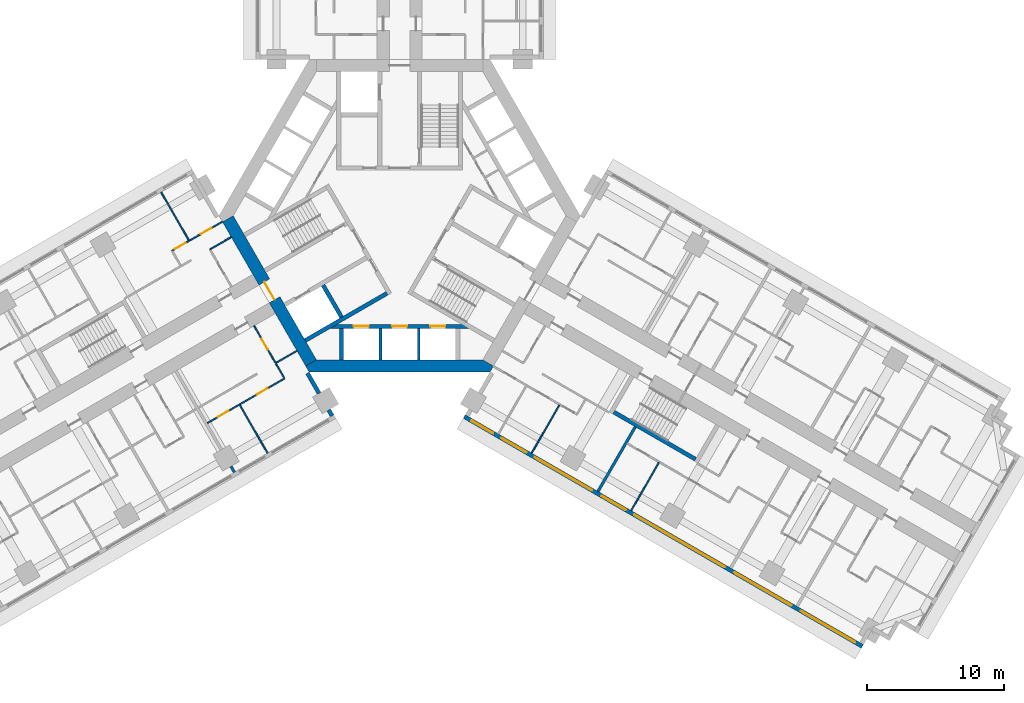
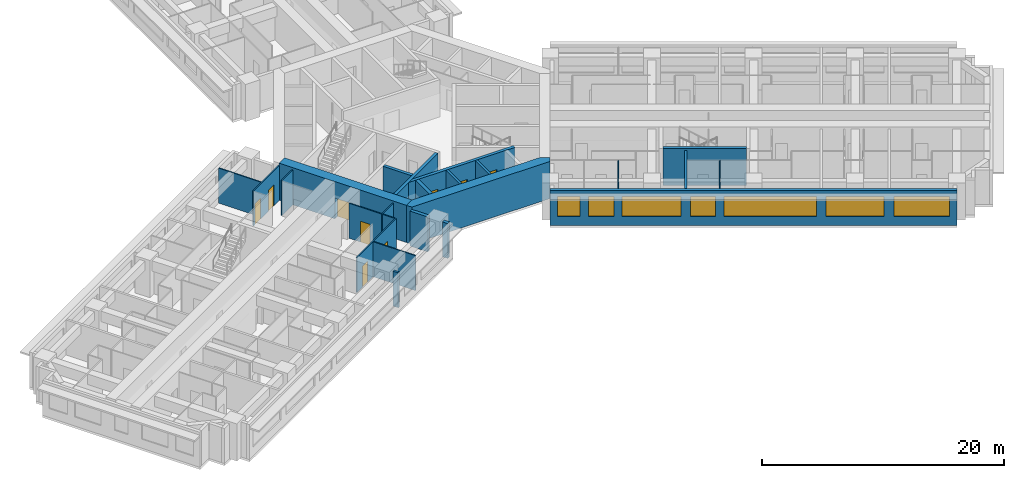
# One storey, part 6 of 16: 24 walls, 9 doors, 7 windows, 16 openings.
"""IFC4 building model written with IfcOpenShell, lengths in metres."""

from ifc_helpers import new_model, si_unit, direction, frame, frame_2d, origin, place, context, subcontext, project, spatial, polyline, rectangle, outline, extrude, material, layer, layer_set, type_object, element, fill, save


model = new_model("IFC4")

# Units and contexts
model_context = context("Model", 3, precision=1e-05, world=origin(), true_north=direction((0.0, 1.0)))
body_context = subcontext(model_context, "Body", "Model", "MODEL_VIEW")
ifc_project = project(units=[si_unit("LENGTHUNIT", "METRE"), si_unit("AREAUNIT", "SQUARE_METRE"), si_unit("VOLUMEUNIT", "CUBIC_METRE"), si_unit("PLANEANGLEUNIT", "RADIAN"), si_unit("MASSUNIT", "GRAM", prefix="KILO")], contexts=[model_context])

# Site, building, storey
site_placement = place(None, origin())
site = spatial("IfcSite", under=ifc_project, at=site_placement, CompositionType="ELEMENT")
building_placement = place(site_placement, origin())
building = spatial("IfcBuilding", under=site, at=building_placement, Name="Impinga Residences", CompositionType="ELEMENT")
storey_placement = place(building_placement, frame((0.0, 0.0, 52.25)))
storey = spatial("IfcBuildingStorey", under=building, at=storey_placement, Name="L12", CompositionType="ELEMENT", Elevation=52.25)

# Wall, openings, windows
ifc_material_1 = material(Name="Terracotta rainscreen on blockwork", Category="masonry")
ifc_layer_1 = layer(ifc_material_1, 0.300048828125)
ifc_layer_set_1 = layer_set([ifc_layer_1], Name="EW1 external wall, terracotta rainscreen on blockwork 300")
wall_type_1 = type_object("IfcWallType", Name="EW1 external wall, terracotta rainscreen on blockwork 300", PredefinedType="SOLIDWALL", material=ifc_layer_set_1)
wall_1_placement = place(storey_placement, frame((33.823486328125, -31.479248046875, 0.0), z_axis=(0.0, 0.0, 1.0), x_axis=(-0.866024291668, 0.500001926238, 0.0)))
wall_1 = element("IfcWall", 1, at=wall_1_placement, inside=storey, type_object=wall_type_1, Name="External wall EW1 L12", PredefinedType="SOLIDWALL", context=body_context, shape_type="SweptSolid", body=[
    extrude(rectangle(XDim=33.599853515625, YDim=0.300048828125, at=frame_2d((16.7998046875, 0.0))), origin(), (0.0, 0.0, 1.0), 3.530029296875),
])
opening_1_placement = place(wall_1_placement, frame((0.60009765625, 0.0, 0.89990234375)))
opening_1 = element("IfcOpeningElement", 2, at=opening_1_placement, cuts=wall_1, Name="Opening W3", PredefinedType="OPENING", context=body_context, shape_type="SweptSolid", body=[
    extrude(rectangle(XDim=4.60009765625, YDim=2.050048828125, at=frame_2d((2.300048828125, 1.02490234375))), frame((0.0, 0.159912109375, 0.0), z_axis=(0.0, -1.0, 0.0), x_axis=(1.0, 0.0, 0.0)), (0.0, 0.0, 1.0), 0.320068359375),
])
opening_2_placement = place(wall_1_placement, frame((6.0, 0.0, 0.89990234375)))
opening_2 = element("IfcOpeningElement", 3, at=opening_2_placement, cuts=wall_1, Name="Opening W8", PredefinedType="OPENING", context=body_context, shape_type="SweptSolid", body=[
    extrude(rectangle(XDim=4.800048828125, YDim=2.050048828125, at=frame_2d((2.39990234375, 1.02490234375))), frame((0.0, 0.159912109375, 0.0), z_axis=(0.0, -1.0, 0.0), x_axis=(1.0, 0.0, 0.0)), (0.0, 0.0, 1.0), 0.320068359375),
])
opening_3_placement = place(wall_1_placement, frame((11.60009765625, 0.0, 0.89990234375)))
opening_3 = element("IfcOpeningElement", 4, at=opening_3_placement, cuts=wall_1, Name="Opening W13", PredefinedType="OPENING", context=body_context, shape_type="SweptSolid", body=[
    extrude(rectangle(XDim=7.64990234375, YDim=2.050048828125, at=frame_2d((3.824951171875, 1.02490234375))), frame((0.0, 0.159912109375, 0.0), z_axis=(0.0, -1.0, 0.0), x_axis=(1.0, 0.0, 0.0)), (0.0, 0.0, 1.0), 0.320068359375),
])
opening_4_placement = place(wall_1_placement, frame((19.949951171875, 0.0, 0.89990234375)))
opening_4 = element("IfcOpeningElement", 5, at=opening_4_placement, cuts=wall_1, Name="Opening W14", PredefinedType="OPENING", context=body_context, shape_type="SweptSolid", body=[
    extrude(rectangle(XDim=2.050048828125, YDim=2.050048828125, at=frame_2d((1.02490234375, 1.02490234375))), frame((0.0, 0.159912109375, 0.0), z_axis=(0.0, -1.0, 0.0), x_axis=(1.0, 0.0, 0.0)), (0.0, 0.0, 1.0), 0.320068359375),
])
opening_5_placement = place(wall_1_placement, frame((22.800048828125, 0.0, 0.89990234375)))
opening_5 = element("IfcOpeningElement", 6, at=opening_5_placement, cuts=wall_1, Name="Opening W6", PredefinedType="OPENING", context=body_context, shape_type="SweptSolid", body=[
    extrude(rectangle(XDim=4.85009765625, YDim=2.050048828125, at=frame_2d((2.425048828125, 1.02490234375))), frame((0.0, 0.159912109375, 0.0), z_axis=(0.0, -1.0, 0.0), x_axis=(1.0, 0.0, 0.0)), (0.0, 0.0, 1.0), 0.320068359375),
])
opening_6_placement = place(wall_1_placement, frame((28.35009765625, 0.0, 0.89990234375)))
opening_6 = element("IfcOpeningElement", 7, at=opening_6_placement, cuts=wall_1, Name="Opening W9", PredefinedType="OPENING", context=body_context, shape_type="SweptSolid", body=[
    extrude(rectangle(XDim=2.10009765625, YDim=2.050048828125, at=frame_2d((1.050048828125, 1.02490234375))), frame((0.0, 0.159912109375, 0.0), z_axis=(0.0, -1.0, 0.0), x_axis=(1.0, 0.0, 0.0)), (0.0, 0.0, 1.0), 0.320068359375),
])
opening_7_placement = place(wall_1_placement, frame((31.14990234375, 0.0, 0.89990234375)))
opening_7 = element("IfcOpeningElement", 8, at=opening_7_placement, cuts=wall_1, Name="Opening W15", PredefinedType="OPENING", context=body_context, shape_type="SweptSolid", body=[
    extrude(rectangle(XDim=1.85009765625, YDim=2.050048828125, at=frame_2d((0.925048828125, 1.02490234375))), frame((0.0, 0.159912109375, 0.0), z_axis=(0.0, -1.0, 0.0), x_axis=(1.0, 0.0, 0.0)), (0.0, 0.0, 1.0), 0.320068359375),
])
ifc_material_2 = material(Name="Aluminium window, clear double glazing", Category="aluminium")
window_type_1 = type_object("IfcWindowType", Name="W13 ribbon window 7650x2050", PartitioningType="SINGLE_PANEL", PredefinedType="WINDOW", material=ifc_material_2)
window_1_placement = place(opening_3_placement, origin())
window_1 = element("IfcWindow", 9, at=window_1_placement, inside=storey, type_object=window_type_1, Name="Window L12", OverallHeight=2.050048828125, OverallWidth=7.64990234375, PartitioningType="SINGLE_PANEL", PredefinedType="WINDOW", context=body_context, shape_type="SweptSolid", body=[
    extrude(rectangle(XDim=7.64990234375, YDim=2.050048828125, at=frame_2d((3.824951171875, 1.02490234375))), frame((0.0, 0.030029296875, 0.0), z_axis=(0.0, -1.0, 0.0), x_axis=(1.0, 0.0, 0.0)), (0.0, 0.0, 1.0), 0.06005859375),
])
fill(opening_3, window_1)
window_type_2 = type_object("IfcWindowType", Name="W14 ribbon window 2050x2050", PartitioningType="SINGLE_PANEL", PredefinedType="WINDOW", material=ifc_material_2)
window_2_placement = place(opening_4_placement, origin())
window_2 = element("IfcWindow", 10, at=window_2_placement, inside=storey, type_object=window_type_2, Name="Window L12", OverallHeight=2.050048828125, OverallWidth=2.050048828125, PartitioningType="SINGLE_PANEL", PredefinedType="WINDOW", context=body_context, shape_type="SweptSolid", body=[
    extrude(rectangle(XDim=2.050048828125, YDim=2.050048828125, at=frame_2d((1.02490234375, 1.02490234375))), frame((0.0, 0.030029296875, 0.0), z_axis=(0.0, -1.0, 0.0), x_axis=(1.0, 0.0, 0.0)), (0.0, 0.0, 1.0), 0.06005859375),
])
fill(opening_4, window_2)
window_type_3 = type_object("IfcWindowType", Name="W15 ribbon window 1850x2050", PartitioningType="SINGLE_PANEL", PredefinedType="WINDOW", material=ifc_material_2)
window_3_placement = place(opening_7_placement, origin())
window_3 = element("IfcWindow", 11, at=window_3_placement, inside=storey, type_object=window_type_3, Name="Window L12", OverallHeight=2.050048828125, OverallWidth=1.85009765625, PartitioningType="SINGLE_PANEL", PredefinedType="WINDOW", context=body_context, shape_type="SweptSolid", body=[
    extrude(rectangle(XDim=1.85009765625, YDim=2.050048828125, at=frame_2d((0.925048828125, 1.02490234375))), frame((0.0, 0.030029296875, 0.0), z_axis=(0.0, -1.0, 0.0), x_axis=(1.0, 0.0, 0.0)), (0.0, 0.0, 1.0), 0.06005859375),
])
fill(opening_7, window_3)
window_type_4 = type_object("IfcWindowType", Name="W3 ribbon window 4600x2050", PartitioningType="SINGLE_PANEL", PredefinedType="WINDOW", material=ifc_material_2)
window_4_placement = place(opening_1_placement, origin())
window_4 = element("IfcWindow", 12, at=window_4_placement, inside=storey, type_object=window_type_4, Name="Window L12", OverallHeight=2.050048828125, OverallWidth=4.60009765625, PartitioningType="SINGLE_PANEL", PredefinedType="WINDOW", context=body_context, shape_type="SweptSolid", body=[
    extrude(rectangle(XDim=4.60009765625, YDim=2.050048828125, at=frame_2d((2.300048828125, 1.02490234375))), frame((0.0, 0.030029296875, 0.0), z_axis=(0.0, -1.0, 0.0), x_axis=(1.0, 0.0, 0.0)), (0.0, 0.0, 1.0), 0.06005859375),
])
fill(opening_1, window_4)
window_type_5 = type_object("IfcWindowType", Name="W6 ribbon window 4850x2050", PartitioningType="SINGLE_PANEL", PredefinedType="WINDOW", material=ifc_material_2)
window_5_placement = place(opening_5_placement, origin())
window_5 = element("IfcWindow", 13, at=window_5_placement, inside=storey, type_object=window_type_5, Name="Window L12", OverallHeight=2.050048828125, OverallWidth=4.85009765625, PartitioningType="SINGLE_PANEL", PredefinedType="WINDOW", context=body_context, shape_type="SweptSolid", body=[
    extrude(rectangle(XDim=4.85009765625, YDim=2.050048828125, at=frame_2d((2.425048828125, 1.02490234375))), frame((0.0, 0.030029296875, 0.0), z_axis=(0.0, -1.0, 0.0), x_axis=(1.0, 0.0, 0.0)), (0.0, 0.0, 1.0), 0.06005859375),
])
fill(opening_5, window_5)
window_type_6 = type_object("IfcWindowType", Name="W8 ribbon window 4800x2050", PartitioningType="SINGLE_PANEL", PredefinedType="WINDOW", material=ifc_material_2)
window_6_placement = place(opening_2_placement, origin())
window_6 = element("IfcWindow", 14, at=window_6_placement, inside=storey, type_object=window_type_6, Name="Window L12", OverallHeight=2.050048828125, OverallWidth=4.800048828125, PartitioningType="SINGLE_PANEL", PredefinedType="WINDOW", context=body_context, shape_type="SweptSolid", body=[
    extrude(rectangle(XDim=4.800048828125, YDim=2.050048828125, at=frame_2d((2.39990234375, 1.02490234375))), frame((0.0, 0.030029296875, 0.0), z_axis=(0.0, -1.0, 0.0), x_axis=(1.0, 0.0, 0.0)), (0.0, 0.0, 1.0), 0.06005859375),
])
fill(opening_2, window_6)
window_type_7 = type_object("IfcWindowType", Name="W9 ribbon window 2100x2050", PartitioningType="SINGLE_PANEL", PredefinedType="WINDOW", material=ifc_material_2)
window_7_placement = place(opening_6_placement, origin())
window_7 = element("IfcWindow", 15, at=window_7_placement, inside=storey, type_object=window_type_7, Name="Window L12", OverallHeight=2.050048828125, OverallWidth=2.10009765625, PartitioningType="SINGLE_PANEL", PredefinedType="WINDOW", context=body_context, shape_type="SweptSolid", body=[
    extrude(rectangle(XDim=2.10009765625, YDim=2.050048828125, at=frame_2d((1.050048828125, 1.02490234375))), frame((0.0, 0.030029296875, 0.0), z_axis=(0.0, -1.0, 0.0), x_axis=(1.0, 0.0, 0.0)), (0.0, 0.0, 1.0), 0.06005859375),
])
fill(opening_6, window_7)

# Walls
wall_2_placement = place(storey_placement, frame((-6.72998046875, -11.506591796875, 0.0), z_axis=(0.0, 0.0, 1.0), x_axis=(0.500062241894, -0.865989465428, 0.0)))
element("IfcWall", 16, at=wall_2_placement, inside=storey, type_object=wall_type_1, Name="External wall EW1 L12", PredefinedType="SOLIDWALL", context=body_context, shape_type="SweptSolid", body=[
    extrude(rectangle(XDim=1.699951171875, YDim=0.300048828125, at=frame_2d((0.85009765625, 0.0))), origin(), (0.0, 0.0, 1.0), 3.530029296875),
])
wall_3_placement = place(storey_placement, frame((-5.179931640625, -14.191162109375, 0.0), z_axis=(0.0, 0.0, 1.0), x_axis=(0.499919672301, -0.866071776036, 0.0)))
element("IfcWall", 17, at=wall_3_placement, inside=storey, type_object=wall_type_1, Name="External wall EW1 L12", PredefinedType="SOLIDWALL", context=body_context, shape_type="SweptSolid", body=[
    extrude(rectangle(XDim=0.5, YDim=0.300048828125, at=frame_2d((0.25, 0.0))), origin(), (0.0, 0.0, 1.0), 3.530029296875),
])
ifc_material_3 = material(Name="Gypsum board on steel studs", Category="steel")
ifc_layer_2 = layer(ifc_material_3, 0.10009765625)
ifc_layer_set_2 = layer_set([ifc_layer_2], Name="Gypsum board on steel studs")
wall_type_2 = type_object("IfcWallType", Name="IP1 partition 100", PredefinedType="PARTITIONING", material=ifc_layer_set_2)
wall_4_placement = place(storey_placement, frame((-7.5, -9.872802734375, 0.0), z_axis=(0.0, 0.0, 1.0), x_axis=(-0.866047807691, -0.499961193289, 0.0)))
element("IfcWall", 18, at=wall_4_placement, inside=storey, type_object=wall_type_2, Name="Partition L12-WA1:DIV0", PredefinedType="PARTITIONING", context=body_context, shape_type="SweptSolid", body=[
    extrude(rectangle(XDim=1.800048828125, YDim=0.10009765625, at=frame_2d((0.89990234375, 0.0))), origin(), (0.0, 0.0, 1.0), 3.530029296875),
])

# Wall, openings, doors
wall_5_placement = place(storey_placement, frame((-8.408935546875, -11.8984375, 0.0), z_axis=(0.0, 0.0, 1.0), x_axis=(-0.866024837091, -0.50000098154, 0.0)))
wall_5 = element("IfcWall", 19, at=wall_5_placement, inside=storey, type_object=wall_type_2, Name="Partition L12-WA1:STRIP", PredefinedType="PARTITIONING", context=body_context, shape_type="SweptSolid", body=[
    extrude(rectangle(XDim=6.5, YDim=0.10009765625, at=frame_2d((3.25, 0.0))), origin(), (0.0, 0.0, 1.0), 3.530029296875),
])
opening_8_placement = place(wall_5_placement, frame((1.425048828125, 0.0, 0.0)))
opening_8 = element("IfcOpeningElement", 20, at=opening_8_placement, cuts=wall_5, Name="Opening D2", PredefinedType="OPENING", context=body_context, shape_type="SweptSolid", body=[
    extrude(rectangle(XDim=0.89990234375, YDim=2.10009765625, at=frame_2d((0.449951171875, 1.050048828125))), frame((0.0, 0.06005859375, 0.0), z_axis=(0.0, -1.0, 0.0), x_axis=(1.0, 0.0, 0.0)), (0.0, 0.0, 1.0), 0.1201171875),
])
opening_9_placement = place(wall_5_placement, frame((4.72509765625, 0.0, 0.0)))
opening_9 = element("IfcOpeningElement", 21, at=opening_9_placement, cuts=wall_5, Name="Opening D2", PredefinedType="OPENING", context=body_context, shape_type="SweptSolid", body=[
    extrude(rectangle(XDim=0.89990234375, YDim=2.10009765625, at=frame_2d((0.449951171875, 1.050048828125))), frame((0.0, 0.06005859375, 0.0), z_axis=(0.0, -1.0, 0.0), x_axis=(1.0, 0.0, 0.0)), (0.0, 0.0, 1.0), 0.1201171875),
])
ifc_material_4 = material(Name="Timber door set", Category="wood")
door_type_1 = type_object("IfcDoorType", Name="D2 internal door 900x2100", OperationType="SINGLE_SWING_LEFT", PredefinedType="DOOR", material=ifc_material_4)
door_1_placement = place(opening_8_placement, origin())
door_1 = element("IfcDoor", 22, at=door_1_placement, inside=storey, type_object=door_type_1, Name="Apartment L12-WA1 room door", OperationType="SINGLE_SWING_LEFT", OverallHeight=2.10009765625, OverallWidth=0.89990234375, PredefinedType="DOOR", context=body_context, shape_type="SweptSolid", body=[
    extrude(rectangle(XDim=0.89990234375, YDim=2.10009765625, at=frame_2d((0.449951171875, 1.050048828125))), frame((0.0, 0.02490234375, 0.0), z_axis=(0.0, -1.0, 0.0), x_axis=(1.0, 0.0, 0.0)), (0.0, 0.0, 1.0), 0.050048828125),
])
fill(opening_8, door_1)
door_2_placement = place(opening_9_placement, origin())
door_2 = element("IfcDoor", 23, at=door_2_placement, inside=storey, type_object=door_type_1, Name="Apartment L12-WA1 room door", OperationType="SINGLE_SWING_RIGHT", OverallHeight=2.10009765625, OverallWidth=0.89990234375, PredefinedType="DOOR", context=body_context, shape_type="SweptSolid", body=[
    extrude(rectangle(XDim=0.89990234375, YDim=2.10009765625, at=frame_2d((0.449951171875, 1.050048828125))), frame((0.0, 0.02490234375, 0.0), z_axis=(0.0, -1.0, 0.0), x_axis=(1.0, 0.0, 0.0)), (0.0, 0.0, 1.0), 0.050048828125),
])
fill(opening_9, door_2)

# Wall
wall_6_placement = place(storey_placement, frame((-9.033935546875, -10.81591796875, 0.0), z_axis=(0.0, 0.0, 1.0), x_axis=(0.500033551112, -0.866006032174, 0.0)))
element("IfcWall", 24, at=wall_6_placement, inside=storey, type_object=wall_type_2, Name="Partition L12-WA1:SE0", PredefinedType="PARTITIONING", context=body_context, shape_type="SweptSolid", body=[
    extrude(rectangle(XDim=1.2001953125, YDim=0.10009765625, at=frame_2d((0.60009765625, 0.0))), origin(), (0.0, 0.0, 1.0), 3.530029296875),
])

# Wall, opening, door
wall_7_placement = place(storey_placement, frame((-10.6337890625, -8.044677734375, 0.0), z_axis=(0.0, 0.0, 1.0), x_axis=(0.49999285859, -0.86602952684, 0.0)))
wall_7 = element("IfcWall", 25, at=wall_7_placement, inside=storey, type_object=wall_type_2, Name="Partition L12-WA1:IB1", PredefinedType="PARTITIONING", context=body_context, shape_type="SweptSolid", body=[
    extrude(rectangle(XDim=3.10009765625, YDim=0.10009765625, at=frame_2d((1.550048828125, 0.0))), origin(), (0.0, 0.0, 1.0), 3.530029296875),
])
opening_10_placement = place(wall_7_placement, frame((1.10009765625, 0.0, 0.0)))
opening_10 = element("IfcOpeningElement", 26, at=opening_10_placement, cuts=wall_7, Name="Opening D2", PredefinedType="OPENING", context=body_context, shape_type="SweptSolid", body=[
    extrude(rectangle(XDim=0.89990234375, YDim=2.10009765625, at=frame_2d((0.449951171875, 1.050048828125))), frame((0.0, 0.06005859375, 0.0), z_axis=(0.0, -1.0, 0.0), x_axis=(1.0, 0.0, 0.0)), (0.0, 0.0, 1.0), 0.1201171875),
])
door_3_placement = place(opening_10_placement, origin())
door_3 = element("IfcDoor", 27, at=door_3_placement, inside=storey, type_object=door_type_1, Name="Apartment L12-WA1 bathroom door", OperationType="SINGLE_SWING_LEFT", OverallHeight=2.10009765625, OverallWidth=0.89990234375, PredefinedType="DOOR", context=body_context, shape_type="SweptSolid", body=[
    extrude(rectangle(XDim=0.89990234375, YDim=2.10009765625, at=frame_2d((0.449951171875, 1.050048828125))), frame((0.0, 0.02490234375, 0.0), z_axis=(0.0, -1.0, 0.0), x_axis=(1.0, 0.0, 0.0)), (0.0, 0.0, 1.0), 0.050048828125),
])
fill(opening_10, door_3)

# Walls
wall_8_placement = place(storey_placement, frame((-11.6748046875, -13.841796875, 0.0), z_axis=(0.0, 0.0, 1.0), x_axis=(0.500035537042, -0.866004885491, 0.0)))
element("IfcWall", 28, at=wall_8_placement, inside=storey, type_object=wall_type_2, Name="Partition L12-WA1:OB1", PredefinedType="PARTITIONING", context=body_context, shape_type="SweptSolid", body=[
    extrude(rectangle(XDim=4.050048828125, YDim=0.10009765625, at=frame_2d((2.02490234375, 0.0))), origin(), (0.0, 0.0, 1.0), 3.530029296875),
])
wall_9_placement = place(storey_placement, frame((-12.300048828125, -1.558837890625, 0.0), z_axis=(0.0, 0.0, 1.0), x_axis=(-0.866047807691, -0.499961193289, 0.0)))
element("IfcWall", 29, at=wall_9_placement, inside=storey, type_object=wall_type_2, Name="Partition L12-WF1:DIV0", PredefinedType="PARTITIONING", context=body_context, shape_type="SweptSolid", body=[
    extrude(rectangle(XDim=1.800048828125, YDim=0.10009765625, at=frame_2d((0.89990234375, 0.0))), origin(), (0.0, 0.0, 1.0), 3.530029296875),
])

# Wall, openings, doors
wall_10_placement = place(storey_placement, frame((-12.949951171875, -0.43310546875, 0.0), z_axis=(0.0, 0.0, 1.0), x_axis=(-0.866028703517, -0.499994284652, 0.0)))
wall_10 = element("IfcWall", 30, at=wall_10_placement, inside=storey, type_object=wall_type_2, Name="Partition L12-WF1:STRIP", PredefinedType="PARTITIONING", context=body_context, shape_type="SweptSolid", body=[
    extrude(rectangle(XDim=4.25, YDim=0.10009765625, at=frame_2d((2.125, 0.0))), origin(), (0.0, 0.0, 1.0), 3.530029296875),
])
opening_11_placement = place(wall_10_placement, frame((0.925048828125, 0.0, 0.0)))
opening_11 = element("IfcOpeningElement", 31, at=opening_11_placement, cuts=wall_10, Name="Opening D2", PredefinedType="OPENING", context=body_context, shape_type="SweptSolid", body=[
    extrude(rectangle(XDim=0.89990234375, YDim=2.10009765625, at=frame_2d((0.449951171875, 1.050048828125))), frame((0.0, 0.06005859375, 0.0), z_axis=(0.0, -1.0, 0.0), x_axis=(1.0, 0.0, 0.0)), (0.0, 0.0, 1.0), 0.1201171875),
])
opening_12_placement = place(wall_10_placement, frame((3.10009765625, 0.0, 0.0)))
opening_12 = element("IfcOpeningElement", 32, at=opening_12_placement, cuts=wall_10, Name="Opening D2", PredefinedType="OPENING", context=body_context, shape_type="SweptSolid", body=[
    extrude(rectangle(XDim=0.89990234375, YDim=2.10009765625, at=frame_2d((0.449951171875, 1.050048828125))), frame((0.0, 0.06005859375, 0.0), z_axis=(0.0, -1.0, 0.0), x_axis=(1.0, 0.0, 0.0)), (0.0, 0.0, 1.0), 0.1201171875),
])
door_4_placement = place(opening_11_placement, origin())
door_4 = element("IfcDoor", 33, at=door_4_placement, inside=storey, type_object=door_type_1, Name="Apartment L12-WF1 room door", OperationType="SINGLE_SWING_LEFT", OverallHeight=2.10009765625, OverallWidth=0.89990234375, PredefinedType="DOOR", context=body_context, shape_type="SweptSolid", body=[
    extrude(rectangle(XDim=0.89990234375, YDim=2.10009765625, at=frame_2d((0.449951171875, 1.050048828125))), frame((0.0, 0.02490234375, 0.0), z_axis=(0.0, -1.0, 0.0), x_axis=(1.0, 0.0, 0.0)), (0.0, 0.0, 1.0), 0.050048828125),
])
fill(opening_11, door_4)
door_5_placement = place(opening_12_placement, origin())
door_5 = element("IfcDoor", 34, at=door_5_placement, inside=storey, type_object=door_type_1, Name="Apartment L12-WF1 room door", OperationType="SINGLE_SWING_RIGHT", OverallHeight=2.10009765625, OverallWidth=0.89990234375, PredefinedType="DOOR", context=body_context, shape_type="SweptSolid", body=[
    extrude(rectangle(XDim=0.89990234375, YDim=2.10009765625, at=frame_2d((0.449951171875, 1.050048828125))), frame((0.0, 0.02490234375, 0.0), z_axis=(0.0, -1.0, 0.0), x_axis=(1.0, 0.0, 0.0)), (0.0, 0.0, 1.0), 0.050048828125),
])
fill(opening_12, door_5)

# Walls
for number, where, z_axis, x_axis, name in (
    (35, (-15.39990234375, -1.789794921875, 0.0), (0.0, 0.0, 1.0), (-0.499964223975, 0.866046058097, 0.0), "Partition L12-WF1:OB1"),
    (36, (11.6748046875, -13.841796875, 0.0), (0.0, 0.0, 1.0), (-0.500035537042, -0.866004885491, 0.0), "Partition L12-EF1:OB2"),
):
    element("IfcWall", number, at=place(storey_placement, frame(where, z_axis=z_axis, x_axis=x_axis)), inside=storey, type_object=wall_type_2, Name=name, PredefinedType="PARTITIONING", context=body_context, shape_type="SweptSolid", body=[
        extrude(rectangle(XDim=4.050048828125, YDim=0.10009765625, at=frame_2d((2.02490234375, 0.0))), origin(), (0.0, 0.0, 1.0), 3.530029296875),
    ])
wall_11_placement = place(storey_placement, frame((18.949462890625, -18.041748046875, 0.0), z_axis=(0.0, 0.0, 1.0), x_axis=(-0.50000943426, -0.866019956843, 0.0)))
element("IfcWall", 37, at=wall_11_placement, inside=storey, type_object=wall_type_2, Name="Partition L12-EF2:OB1", PredefinedType="PARTITIONING", context=body_context, shape_type="SweptSolid", body=[
    extrude(rectangle(XDim=4.05029296875, YDim=0.10009765625, at=frame_2d((2.025146484375, 0.0))), origin(), (0.0, 0.0, 1.0), 3.530029296875),
])
ifc_material_5 = material(Name="Concrete blockwork", Category="masonry")
ifc_layer_3 = layer(ifc_material_5, 0.199951171875)
ifc_layer_set_3 = layer_set([ifc_layer_3], Name="PW1 party wall between apartments 200")
wall_type_3 = type_object("IfcWallType", Name="PW1 party wall between apartments 200", PredefinedType="SOLIDWALL", material=ifc_layer_set_3)
wall_12_placement = place(storey_placement, frame((-12.32470703125, -18.316162109375, 0.0), z_axis=(0.0, 0.0, 1.0), x_axis=(0.499919672301, -0.866071776036, 0.0)))
element("IfcWall", 38, at=wall_12_placement, inside=storey, type_object=wall_type_3, Name="Party wall between apartments L12-WA1:PARTYb", PredefinedType="SOLIDWALL", context=body_context, shape_type="SweptSolid", body=[
    extrude(rectangle(XDim=0.5, YDim=0.199951171875, at=frame_2d((0.25, 0.0))), origin(), (0.0, 0.0, 1.0), 3.530029296875),
])
wall_13_placement = place(storey_placement, frame((17.224365234375, -15.429443359375, 0.0), z_axis=(0.0, 0.0, 1.0), x_axis=(-0.499988730927, -0.866031909889, 0.0)))
element("IfcWall", 39, at=wall_13_placement, inside=storey, type_object=wall_type_3, Name="Party wall between apartments L12-EF1:PARTY", PredefinedType="SOLIDWALL", context=body_context, shape_type="SweptSolid", body=[
    extrude(rectangle(XDim=5.449951171875, YDim=0.199951171875, at=frame_2d((2.72509765625, 0.0))), origin(), (0.0, 0.0, 1.0), 3.530029296875),
])
ifc_material_6 = material(Name="Concrete C60/75", Category="concrete")
ifc_layer_4 = layer(ifc_material_6, 0.300048828125)
ifc_layer_set_4 = layer_set([ifc_layer_4], Name="Concrete C60/75")
wall_type_4 = type_object("IfcWallType", Name="SE1 wing stair enclosure wall 300", PredefinedType="SOLIDWALL", material=ifc_layer_set_4)
wall_14_placement = place(storey_placement, frame((15.654052734375, -14.349365234375, 0.0), z_axis=(0.0, 0.0, 1.0), x_axis=(0.866013532718, -0.500020560727, 0.0)))
element("IfcWall", 40, at=wall_14_placement, inside=storey, type_object=wall_type_4, Name="Stair enclosure wall SE1 E OUT L12", PredefinedType="SOLIDWALL", context=body_context, shape_type="SweptSolid", body=[
    extrude(rectangle(XDim=6.900146484375, YDim=0.300048828125, at=frame_2d((3.4501953125, 0.0))), origin(), (0.0, 0.0, 1.0), 3.75),
])

# Wall, opening, door
ifc_material_7 = material(Name="Concrete C70/85", Category="concrete")
ifc_layer_5 = layer(ifc_material_7, 0.89990234375)
ifc_layer_set_5 = layer_set([ifc_layer_5], Name="Concrete C70/85")
wall_type_5 = type_object("IfcWallType", Name="SW1 core wall 900", PredefinedType="SHEAR", material=ifc_layer_set_5)
wall_15_placement = place(storey_placement, frame((-6.47021484375, -10.756591796875, 0.0), z_axis=(0.0, 0.0, 1.0), x_axis=(-0.499997612506, 0.8660267822, 0.0)))
wall_15 = element("IfcWall", 41, at=wall_15_placement, inside=storey, type_object=wall_type_5, Name="Core wall SW1 W:FACE L12", PredefinedType="SHEAR", context=body_context, shape_type="SweptSolid", body=[
    extrude(rectangle(XDim=12.16064453125, YDim=0.89990234375, at=frame_2d((6.080322265625, 0.0))), origin(), (0.0, 0.0, 1.0), 3.75),
])
opening_13_placement = place(wall_15_placement, frame((5.330322265625, 0.0, 0.0)))
opening_13 = element("IfcOpeningElement", 42, at=opening_13_placement, cuts=wall_15, Name="Opening D4", PredefinedType="OPENING", context=body_context, shape_type="SweptSolid", body=[
    extrude(rectangle(XDim=1.5, YDim=2.10009765625, at=frame_2d((0.75, 1.050048828125))), frame((0.0, 0.4599609375, 0.0), z_axis=(0.0, -1.0, 0.0), x_axis=(1.0, 0.0, 0.0)), (0.0, 0.0, 1.0), 0.919921875),
])
door_type_2 = type_object("IfcDoorType", Name="D4 lobby door pair 1500x2100", OperationType="DOUBLE_DOOR_DOUBLE_SWING", PredefinedType="DOOR", material=ifc_material_4)
door_6_placement = place(opening_13_placement, origin())
door_6 = element("IfcDoor", 43, at=door_6_placement, inside=storey, type_object=door_type_2, Name="Lobby door W", OperationType="DOUBLE_DOOR_DOUBLE_SWING", OverallHeight=2.10009765625, OverallWidth=1.5, PredefinedType="DOOR", context=body_context, shape_type="SweptSolid", body=[
    extrude(rectangle(XDim=1.5, YDim=2.10009765625, at=frame_2d((0.75, 1.050048828125))), frame((0.0, 0.02490234375, 0.0), z_axis=(0.0, -1.0, 0.0), x_axis=(1.0, 0.0, 0.0)), (0.0, 0.0, 1.0), 0.050048828125),
])
fill(opening_13, door_6)

# Walls
wall_16_placement = place(storey_placement, origin())
element("IfcWall", 44, at=wall_16_placement, inside=storey, type_object=wall_type_5, Name="Core wall SW1 N:EXPOSED L12", PredefinedType="SHEAR", context=body_context, shape_type="SweptSolid", body=[
    extrude(outline(polyline([(-6.60009765625, -11.431640625), (6.60009765625, -11.431640625), (6.85986328125, -10.9814453125), (6.080322265625, -10.531494140625), (-6.080322265625, -10.531494140625), (-6.85986328125, -10.9814453125), (-6.60009765625, -11.431640625)])), origin(), (0.0, 0.0, 1.0), 3.75),
])
ifc_layer_6 = layer(ifc_material_7, 0.300048828125)
ifc_layer_set_6 = layer_set([ifc_layer_6], Name="Concrete C70/85")
wall_type_6 = type_object("IfcWallType", Name="SW5 core inner wall, stairs, shafts and lobbies 300", PredefinedType="SHEAR", material=ifc_layer_set_6)
wall_17_placement = place(storey_placement, frame((-0.918701171875, -5.668701171875, 0.0), z_axis=(0.0, 0.0, 1.0), x_axis=(-0.866011800373, -0.500023561059, 0.0)))
element("IfcWall", 45, at=wall_17_placement, inside=storey, type_object=wall_type_6, Name="Core wall SW5 W:FF-OUT L12", PredefinedType="SHEAR", context=body_context, shape_type="SweptSolid", body=[
    extrude(rectangle(XDim=6.901611328125, YDim=0.300048828125, at=frame_2d((3.45068359375, 0.0))), origin(), (0.0, 0.0, 1.0), 3.75),
])
wall_18_placement = place(storey_placement, frame((-4.2412109375, -7.413818359375, 0.0), z_axis=(0.0, 0.0, 1.0), x_axis=(-0.500048589285, 0.86599734893, 0.0)))
element("IfcWall", 46, at=wall_18_placement, inside=storey, type_object=wall_type_6, Name="Core wall SW5 W:FF-RS L12", PredefinedType="SHEAR", context=body_context, shape_type="SweptSolid", body=[
    extrude(rectangle(XDim=2.699951171875, YDim=0.300048828125, at=frame_2d((1.35009765625, 0.0))), origin(), (0.0, 0.0, 1.0), 3.75),
])

# Wall, openings, doors
wall_19_placement = place(storey_placement, frame((5.09765625, -8.08154296875, 0.0), z_axis=(0.0, 0.0, 1.0), x_axis=(-1.0, 0.0, 0.0)))
wall_19 = element("IfcWall", 47, at=wall_19_placement, inside=storey, type_object=wall_type_6, Name="Core wall SW5 N:BANK-FRONT L12", PredefinedType="SHEAR", context=body_context, shape_type="SweptSolid", body=[
    extrude(rectangle(XDim=10.1953125, YDim=0.300048828125, at=frame_2d((5.09765625, 0.0))), origin(), (0.0, 0.0, 1.0), 3.75),
])
opening_14_placement = place(wall_19_placement, frame((1.74755859375, 0.0, 0.0)))
opening_14 = element("IfcOpeningElement", 48, at=opening_14_placement, cuts=wall_19, Name="Opening LD1", PredefinedType="OPENING", context=body_context, shape_type="SweptSolid", body=[
    extrude(rectangle(XDim=1.10009765625, YDim=2.10009765625, at=frame_2d((0.550048828125, 1.050048828125))), frame((0.0, 0.159912109375, 0.0), z_axis=(0.0, -1.0, 0.0), x_axis=(1.0, 0.0, 0.0)), (0.0, 0.0, 1.0), 0.320068359375),
])
opening_15_placement = place(wall_19_placement, frame((4.547607421875, 0.0, 0.0)))
opening_15 = element("IfcOpeningElement", 49, at=opening_15_placement, cuts=wall_19, Name="Opening LD1", PredefinedType="OPENING", context=body_context, shape_type="SweptSolid", body=[
    extrude(rectangle(XDim=1.10009765625, YDim=2.10009765625, at=frame_2d((0.550048828125, 1.050048828125))), frame((0.0, 0.159912109375, 0.0), z_axis=(0.0, -1.0, 0.0), x_axis=(1.0, 0.0, 0.0)), (0.0, 0.0, 1.0), 0.320068359375),
])
opening_16_placement = place(wall_19_placement, frame((7.34765625, 0.0, 0.0)))
opening_16 = element("IfcOpeningElement", 50, at=opening_16_placement, cuts=wall_19, Name="Opening LD1", PredefinedType="OPENING", context=body_context, shape_type="SweptSolid", body=[
    extrude(rectangle(XDim=1.10009765625, YDim=2.10009765625, at=frame_2d((0.550048828125, 1.050048828125))), frame((0.0, 0.159912109375, 0.0), z_axis=(0.0, -1.0, 0.0), x_axis=(1.0, 0.0, 0.0)), (0.0, 0.0, 1.0), 0.320068359375),
])
ifc_material_8 = material(Name="Steel lift landing door", Category="steel")
door_type_3 = type_object("IfcDoorType", Name="LD1 passenger lift landing door 1100x2100", OperationType="DOUBLE_DOOR_SLIDING", PredefinedType="DOOR", material=ifc_material_8)
door_7_placement = place(opening_14_placement, origin())
door_7 = element("IfcDoor", 51, at=door_7_placement, inside=storey, type_object=door_type_3, Name="Lift landing door P1", OperationType="DOUBLE_DOOR_SLIDING", OverallHeight=2.10009765625, OverallWidth=1.10009765625, PredefinedType="DOOR", context=body_context, shape_type="SweptSolid", body=[
    extrude(rectangle(XDim=1.10009765625, YDim=2.10009765625, at=frame_2d((0.550048828125, 1.050048828125))), frame((0.0, 0.02490234375, 0.0), z_axis=(0.0, -1.0, 0.0), x_axis=(1.0, 0.0, 0.0)), (0.0, 0.0, 1.0), 0.050048828125),
])
fill(opening_14, door_7)
door_8_placement = place(opening_15_placement, origin())
door_8 = element("IfcDoor", 52, at=door_8_placement, inside=storey, type_object=door_type_3, Name="Lift landing door P2", OperationType="DOUBLE_DOOR_SLIDING", OverallHeight=2.10009765625, OverallWidth=1.10009765625, PredefinedType="DOOR", context=body_context, shape_type="SweptSolid", body=[
    extrude(rectangle(XDim=1.10009765625, YDim=2.10009765625, at=frame_2d((0.550048828125, 1.050048828125))), frame((0.0, 0.02490234375, 0.0), z_axis=(0.0, -1.0, 0.0), x_axis=(1.0, 0.0, 0.0)), (0.0, 0.0, 1.0), 0.050048828125),
])
fill(opening_15, door_8)
door_9_placement = place(opening_16_placement, origin())
door_9 = element("IfcDoor", 53, at=door_9_placement, inside=storey, type_object=door_type_3, Name="Lift landing door P3", OperationType="DOUBLE_DOOR_SLIDING", OverallHeight=2.10009765625, OverallWidth=1.10009765625, PredefinedType="DOOR", context=body_context, shape_type="SweptSolid", body=[
    extrude(rectangle(XDim=1.10009765625, YDim=2.10009765625, at=frame_2d((0.550048828125, 1.050048828125))), frame((0.0, 0.02490234375, 0.0), z_axis=(0.0, -1.0, 0.0), x_axis=(1.0, 0.0, 0.0)), (0.0, 0.0, 1.0), 0.050048828125),
])
fill(opening_16, door_9)

# Walls
wall_20_placement = place(storey_placement, frame((-4.25, -8.2314453125, 0.0), z_axis=(0.0, 0.0, 1.0), x_axis=(0.0, -1.0, 0.0)))
element("IfcWall", 54, at=wall_20_placement, inside=storey, type_object=wall_type_6, Name="Core wall SW5 N:BANK-R L12", PredefinedType="SHEAR", context=body_context, shape_type="SweptSolid", body=[
    extrude(rectangle(XDim=2.300048828125, YDim=0.300048828125, at=frame_2d((1.14990234375, 0.0))), origin(), (0.0, 0.0, 1.0), 3.75),
])
ifc_layer_7 = layer(ifc_material_7, 0.199951171875)
ifc_layer_set_7 = layer_set([ifc_layer_7], Name="Concrete C70/85")
wall_type_7 = type_object("IfcWallType", Name="SW6 lift shaft divider wall 200", PredefinedType="SHEAR", material=ifc_layer_set_7)
for number, where, z_axis, x_axis, name in (
    (55, (1.39990234375, -8.2314453125, 0.0), (0.0, 0.0, 1.0), (0.0, -1.0, 0.0), "Core wall SW6 N:BANK-D1 L12"),
    (56, (-1.39990234375, -8.2314453125, 0.0), (0.0, 0.0, 1.0), (0.0, -1.0, 0.0), "Core wall SW6 N:BANK-D2 L12"),
):
    element("IfcWall", number, at=place(storey_placement, frame(where, z_axis=z_axis, x_axis=x_axis)), inside=storey, type_object=wall_type_7, Name=name, PredefinedType="SHEAR", context=body_context, shape_type="SweptSolid", body=[
        extrude(rectangle(XDim=2.300048828125, YDim=0.199951171875, at=frame_2d((1.14990234375, 0.0))), origin(), (0.0, 0.0, 1.0), 3.75),
    ])

save(model, "model.ifc")
